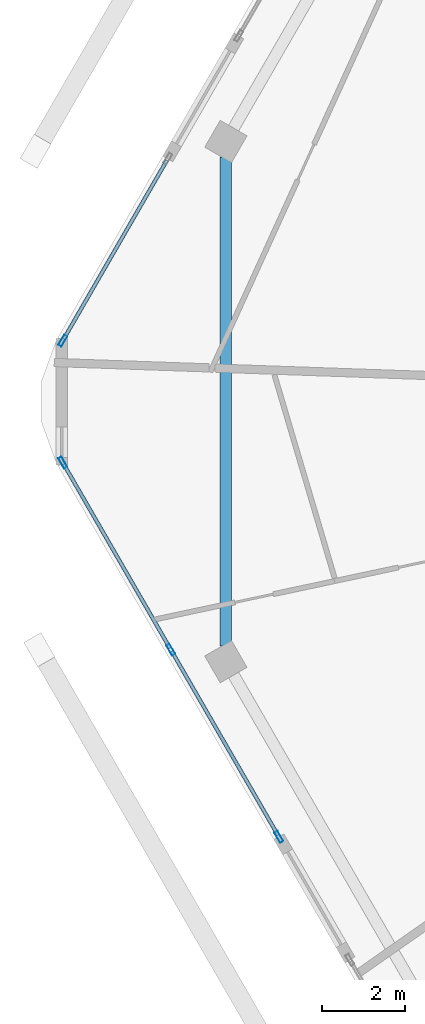
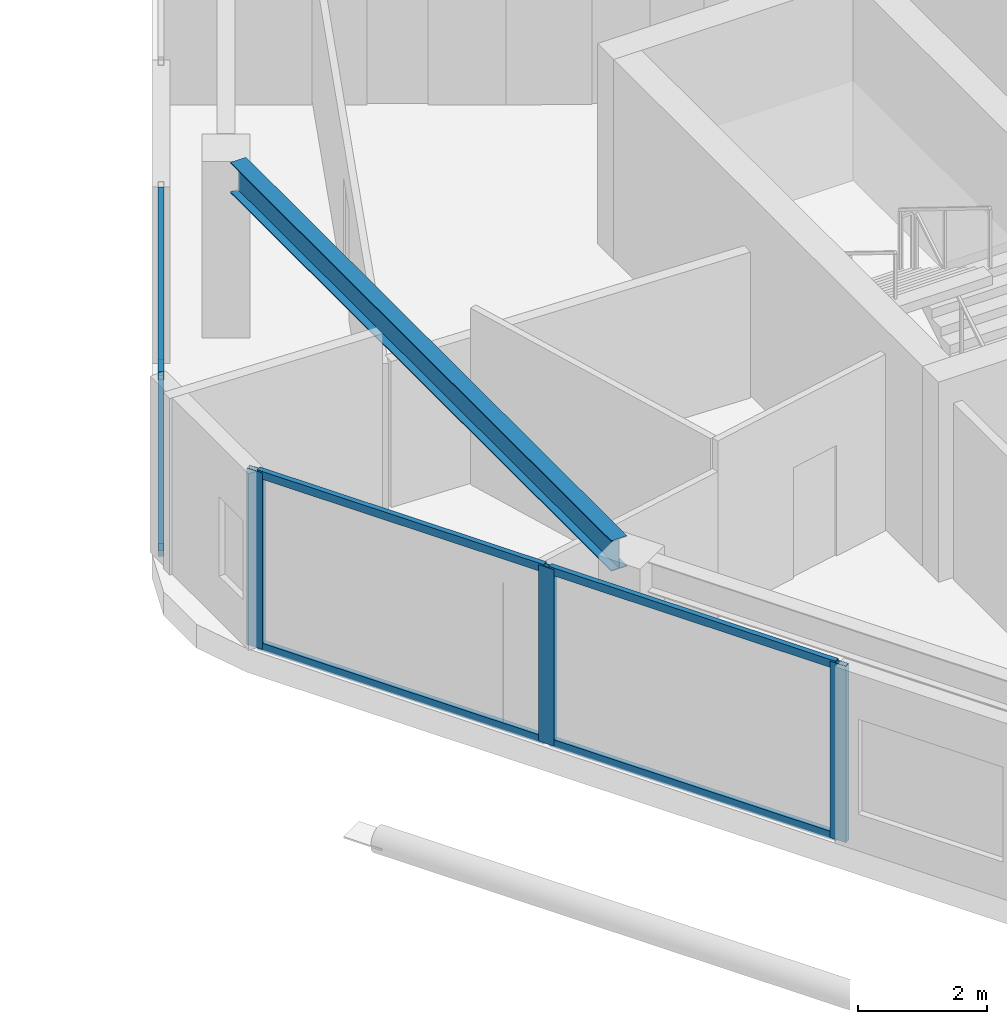
# One storey, part 5 of 22: 10 members, 1 beam, 2 elements without a shape of their own.
"""IFC4 building model written with IfcOpenShell, lengths in metres."""

from ifc_helpers import new_model, si_unit, direction, frame, origin, origin_2d, place, context, subcontext, project, spatial, hollow_rectangle, i_section, extrude, material, material_profile, profile_set, type_object, element, aggregate, save


model = new_model("IFC4")

# Units and contexts
model_context = context("Model", 3, precision=1e-05, world=origin(), true_north=direction((0.0, 1.0)))
body_context = subcontext(model_context, "Body", "Model", "MODEL_VIEW")
ifc_project = project(units=[si_unit("LENGTHUNIT", "METRE"), si_unit("AREAUNIT", "SQUARE_METRE"), si_unit("VOLUMEUNIT", "CUBIC_METRE"), si_unit("PLANEANGLEUNIT", "RADIAN"), si_unit("MASSUNIT", "GRAM", prefix="KILO")], contexts=[model_context])

# Site, building, storey
site_placement = place(None, origin())
site = spatial("IfcSite", under=ifc_project, at=site_placement, CompositionType="ELEMENT")
building_placement = place(site_placement, origin())
building = spatial("IfcBuilding", under=site, at=building_placement, Name="Zuhravey Tower", CompositionType="ELEMENT")
storey_placement = place(building_placement, frame((0.0, 0.0, 357.60009765625)))
storey = spatial("IfcBuildingStorey", under=building, at=storey_placement, Name="L91", CompositionType="ELEMENT", Elevation=357.60009765625)

# Curtain wall, members
ifc_material_1 = material(Name="Thermally broken anodised aluminium", Category="aluminium")
curtain_wall_type = type_object("IfcCurtainWallType", Name="Zone 3-4 High-Rise Curtain Wall CW4", PredefinedType="NOTDEFINED", material=ifc_material_1)
curtain_wall_1_placement = place(storey_placement, origin())
curtain_wall_1 = element("IfcCurtainWall", 1, at=curtain_wall_1_placement, inside=storey, type_object=curtain_wall_type, Name="L91 CW4 CW-L91-F4-2", PredefinedType="NOTDEFINED")
ifc_material_2 = material(Name="Anodised aluminium", Category="aluminium")
ifc_material_profile_1 = material_profile(ifc_material_2, hollow_rectangle(XDim=0.090087890625, YDim=0.284912109375, WallThickness=0.0048828125, at=origin_2d()), Name="ALU-RHS-90x285x5")
ifc_profile_set_1 = profile_set([ifc_material_profile_1], Name="Anodised aluminium")
member_type_1 = type_object("IfcMemberType", Name="Curtain-Wall Mullion 90x180", PredefinedType="MULLION", material=ifc_profile_set_1)
member_1_placement = place(storey_placement, frame((14.291259765625, 21.452392578125, 0.0), z_axis=(0.0, 0.0, 1.0), x_axis=(-0.866024486176, -0.500001589341, 0.0)))
member_1 = element("IfcMember", 2, at=member_1_placement, type_object=member_type_1, Name="CW4 mullion 1", PredefinedType="MULLION", context=body_context, shape_type="SweptSolid", body=[
    extrude(hollow_rectangle(XDim=0.090087890625, YDim=0.284912109375, WallThickness=0.0048828125, at=origin_2d()), origin(), (0.0, 0.0, 1.0), 3.349853515625),
])
member_2_placement = place(storey_placement, frame((11.672607421875, 25.988037109375, 0.0), z_axis=(0.0, 0.0, 1.0), x_axis=(-0.866024486176, -0.500001589341, 0.0)))
member_2 = element("IfcMember", 3, at=member_2_placement, type_object=member_type_1, Name="CW4 mullion 2", PredefinedType="MULLION", context=body_context, shape_type="SweptSolid", body=[
    extrude(hollow_rectangle(XDim=0.090087890625, YDim=0.284912109375, WallThickness=0.0048828125, at=origin_2d()), origin(), (0.0, 0.0, 1.0), 3.349853515625),
])
member_3_placement = place(storey_placement, frame((9.05419921875, 30.5234375, 0.0), z_axis=(0.0, 0.0, 1.0), x_axis=(-0.866024486176, -0.500001589341, 0.0)))
member_3 = element("IfcMember", 4, at=member_3_placement, type_object=member_type_1, Name="CW4 mullion 3", PredefinedType="MULLION", context=body_context, shape_type="SweptSolid", body=[
    extrude(hollow_rectangle(XDim=0.090087890625, YDim=0.284912109375, WallThickness=0.0048828125, at=origin_2d()), origin(), (0.0, 0.0, 1.0), 3.349853515625),
])

# Curtain wall, member
curtain_wall_2_placement = place(storey_placement, origin())
curtain_wall_2 = element("IfcCurtainWall", 5, at=curtain_wall_2_placement, inside=storey, type_object=curtain_wall_type, Name="L91 CW4 CW-L91-F3-1", PredefinedType="NOTDEFINED")
member_4_placement = place(storey_placement, frame((9.05419921875, 33.4765625, 0.0), z_axis=(0.0, 0.0, 1.0), x_axis=(-0.86602320419, 0.50000380979, 0.0)))
member_4 = element("IfcMember", 6, at=member_4_placement, type_object=member_type_1, Name="CW4 mullion 1", PredefinedType="MULLION", context=body_context, shape_type="SweptSolid", body=[
    extrude(hollow_rectangle(XDim=0.090087890625, YDim=0.284912109375, WallThickness=0.0048828125, at=origin_2d()), origin(), (0.0, 0.0, 1.0), 3.349853515625),
])

# Member
ifc_material_profile_2 = material_profile(ifc_material_2, hollow_rectangle(XDim=0.090087890625, YDim=0.14990234375, WallThickness=0.0048828125, at=origin_2d()), Name="ALU-RHS-90x150x5")
ifc_profile_set_2 = profile_set([ifc_material_profile_2], Name="Anodised aluminium")
member_type_2 = type_object("IfcMemberType", Name="Curtain-Wall Transom 90x150", PredefinedType="USERDEFINED", material=ifc_profile_set_2)
member_5_placement = place(storey_placement, frame((14.268798828125, 21.491455078125, 0.044921875), z_axis=(-0.499990707328, 0.866030768845, 0.0), x_axis=(-0.866030768845, -0.499990707328, 0.0)))
member_5 = element("IfcMember", 7, at=member_5_placement, type_object=member_type_2, Name="CW4 transom 1.1", ObjectType="TRANSOM", PredefinedType="USERDEFINED", context=body_context, shape_type="SweptSolid", body=[
    extrude(hollow_rectangle(XDim=0.090087890625, YDim=0.14990234375, WallThickness=0.0048828125, at=origin_2d()), origin(), (0.0, 0.0, 1.0), 5.14697265625),
])

member_6_placement = place(storey_placement, frame((14.268798828125, 21.491455078125, 3.304931640625), z_axis=(-0.499990707328, 0.866030768845, 0.0), x_axis=(-0.866030768845, -0.499990707328, 0.0)))
member_6 = element("IfcMember", 8, at=member_6_placement, type_object=member_type_2, Name="CW4 transom 1.2", ObjectType="TRANSOM", PredefinedType="USERDEFINED", context=body_context, shape_type="SweptSolid", body=[
    extrude(hollow_rectangle(XDim=0.090087890625, YDim=0.14990234375, WallThickness=0.0048828125, at=origin_2d()), origin(), (0.0, 0.0, 1.0), 5.14697265625),
])

member_7_placement = place(storey_placement, frame((11.650146484375, 26.02685546875, 0.044921875), z_axis=(-0.499970169216, 0.86604262591, 0.0), x_axis=(-0.86604262591, -0.499970169216, 0.0)))
member_7 = element("IfcMember", 9, at=member_7_placement, type_object=member_type_2, Name="CW4 transom 2.1", ObjectType="TRANSOM", PredefinedType="USERDEFINED", context=body_context, shape_type="SweptSolid", body=[
    extrude(hollow_rectangle(XDim=0.090087890625, YDim=0.14990234375, WallThickness=0.0048828125, at=origin_2d()), origin(), (0.0, 0.0, 1.0), 5.147216796875),
])

member_8_placement = place(storey_placement, frame((11.650146484375, 26.02685546875, 3.304931640625), z_axis=(-0.499970169216, 0.86604262591, 0.0), x_axis=(-0.86604262591, -0.499970169216, 0.0)))
member_8 = element("IfcMember", 10, at=member_8_placement, type_object=member_type_2, Name="CW4 transom 2.2", ObjectType="TRANSOM", PredefinedType="USERDEFINED", context=body_context, shape_type="SweptSolid", body=[
    extrude(hollow_rectangle(XDim=0.090087890625, YDim=0.14990234375, WallThickness=0.0048828125, at=origin_2d()), origin(), (0.0, 0.0, 1.0), 5.147216796875),
])

aggregate(curtain_wall_1, [member_1, member_2, member_3, member_5, member_6, member_7, member_8])

member_9_placement = place(storey_placement, frame((9.07666015625, 33.515380859375, 0.044921875), z_axis=(0.499994420708, 0.866028624966, 0.0), x_axis=(-0.866028624966, 0.499994420708, 0.0)))
member_9 = element("IfcMember", 11, at=member_9_placement, type_object=member_type_2, Name="CW4 transom 1.1", ObjectType="TRANSOM", PredefinedType="USERDEFINED", context=body_context, shape_type="SweptSolid", body=[
    extrude(hollow_rectangle(XDim=0.090087890625, YDim=0.14990234375, WallThickness=0.0048828125, at=origin_2d()), origin(), (0.0, 0.0, 1.0), 4.9990234375),
])

member_10_placement = place(storey_placement, frame((9.07666015625, 33.515380859375, 3.304931640625), z_axis=(0.499994420708, 0.866028624966, 0.0), x_axis=(-0.866028624966, 0.499994420708, 0.0)))
member_10 = element("IfcMember", 12, at=member_10_placement, type_object=member_type_2, Name="CW4 transom 1.2", ObjectType="TRANSOM", PredefinedType="USERDEFINED", context=body_context, shape_type="SweptSolid", body=[
    extrude(hollow_rectangle(XDim=0.090087890625, YDim=0.14990234375, WallThickness=0.0048828125, at=origin_2d()), origin(), (0.0, 0.0, 1.0), 4.9990234375),
])

aggregate(curtain_wall_2, [member_4, member_9, member_10])

# Beam
ifc_material_3 = material(Name="Steel SM355", Category="steel")
ifc_material_profile_3 = material_profile(ifc_material_3, i_section(OverallWidth=0.280029296875, OverallDepth=0.580078125, WebThickness=0.011962890625, FlangeThickness=0.01904296875, at=origin_2d()), Name="H-580x280x12x19")
ifc_profile_set_3 = profile_set([ifc_material_profile_3], Name="Steel SM355")
beam_type = type_object("IfcBeamType", Name="Perimeter Ring Beam H580x280", PredefinedType="BEAM", material=ifc_profile_set_3)
beam_placement = place(storey_placement, frame((13.006591796875, 37.92431640625, 3.059814453125), z_axis=(0.0, -1.0, 0.0), x_axis=(1.0, 0.0, 0.0)))
element("IfcBeam", 13, at=beam_placement, inside=storey, type_object=beam_type, Name="L91 PB4 BM-L91-PB-06", PredefinedType="BEAM", context=body_context, shape_type="SweptSolid", body=[
    extrude(i_section(OverallWidth=0.280029296875, OverallDepth=0.580078125, WebThickness=0.011962890625, FlangeThickness=0.01904296875, at=origin_2d()), origin(), (0.0, 0.0, 1.0), 11.8486328125),
])

save(model, "model.ifc")
